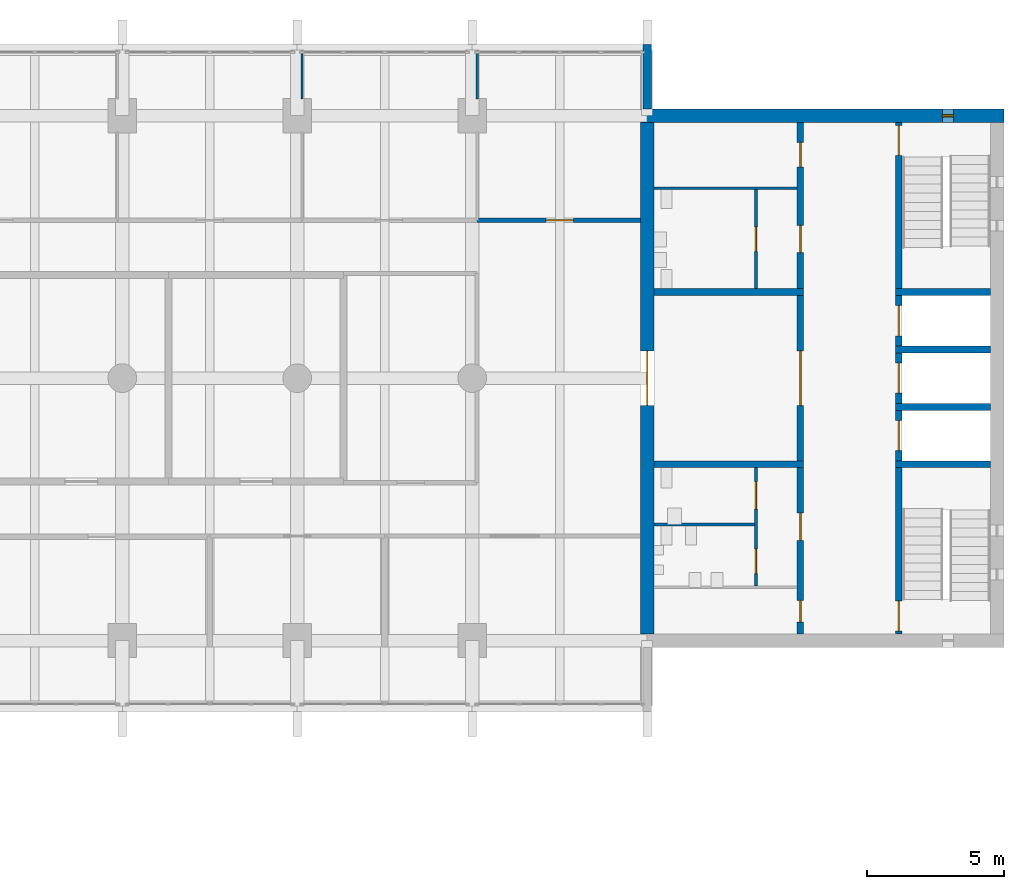
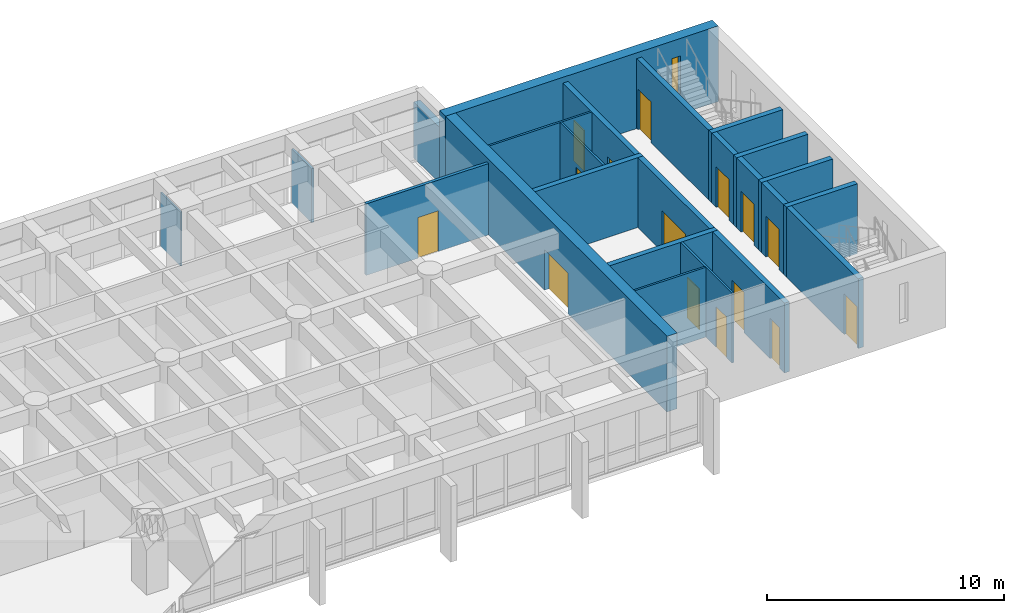
# One storey, part 13 of 19: 24 walls, 15 doors, 1 window, 16 openings.
"""IFC4 building model written with IfcOpenShell, lengths in metres."""

import ifcopenshell
import ifcopenshell.guid

model = None  # the IFC model being written
_history = None  # IfcOwnerHistory: only IFC2X3 demands one
_inside = {}  # id of a spatial element -> (the spatial element, [elements in it])
_under = {}  # id of a project, library or spatial element -> (it, [spatial elements below it])
_declared = {}  # id of a project -> (the project, [libraries it declares])
_typed = {}  # id of a type object -> (the type object, [elements of that type])
_made_of = {}  # id of a material, layer set ... -> (it, [elements and type objects made of it])


def new_model(schema):
    """Start an empty IFC model of exactly this schema.

    Asked for "IFC4X3", IfcOpenShell would pick the latest addendum, in which some entities
    have other attributes; the version numbers below select the first issue.
    IFC2X3 requires an IfcOwnerHistory on every rooted entity: one is made here for all.
    """
    global model, _history
    if schema == "IFC4X3":
        model = ifcopenshell.file(schema_version=(4, 3, 0, 0))
    else:
        model = ifcopenshell.file(schema=schema)
    _inside.clear()
    _under.clear()
    _declared.clear()
    _typed.clear()
    _made_of.clear()
    _history = None
    if model.schema == "IFC2X3":
        org = make("IfcOrganization", Name="unknown")
        user = make(
            "IfcPersonAndOrganization",
            ThePerson=make("IfcPerson", FamilyName="unknown"),
            TheOrganization=org,
        )
        app = make(
            "IfcApplication",
            ApplicationDeveloper=org,
            Version="unknown",
            ApplicationFullName="unknown",
            ApplicationIdentifier="unknown",
        )
        _history = make(
            "IfcOwnerHistory",
            OwningUser=user,
            OwningApplication=app,
            ChangeAction="ADDED",
            CreationDate=0,
        )
    return model


def make(cls, **values):
    """One entity of the class cls with the attributes given. An attribute that is None is left unset."""
    return model.create_entity(
        cls, **{name: value for name, value in values.items() if value is not None}
    )


def rooted(cls, **values):
    """An entity with a GlobalId (a new one), such as an element, a storey or a relation."""
    return make(cls, GlobalId=ifcopenshell.guid.new(), OwnerHistory=_history, **values)


def si_unit(unit_type, name, prefix=None):
    """IfcSIUnit, for example si_unit("LENGTHUNIT", "METRE", prefix="MILLI")."""
    return make("IfcSIUnit", UnitType=unit_type, Prefix=prefix, Name=name)


def assignment(units):
    """IfcUnitAssignment: the units of a project."""
    return None if units is None else make("IfcUnitAssignment", Units=units)


def point(xyz):
    """IfcCartesianPoint."""
    return None if xyz is None else make("IfcCartesianPoint", Coordinates=xyz)


def direction(xyz):
    """IfcDirection."""
    return None if xyz is None else make("IfcDirection", DirectionRatios=xyz)


def frame(location, z_axis=None, x_axis=None):
    """IfcAxis2Placement3D, a coordinate frame: its origin and axes. An axis left out is left unset."""
    return make(
        "IfcAxis2Placement3D",
        Location=point(location),
        Axis=direction(z_axis),
        RefDirection=direction(x_axis),
    )


def frame_2d(location, x_axis=None):
    """IfcAxis2Placement2D, a coordinate frame in the plane: its origin and x axis."""
    return make(
        "IfcAxis2Placement2D", Location=point(location), RefDirection=direction(x_axis)
    )


def origin():
    """The frame at (0, 0, 0) with its axes left unset."""
    return frame((0.0, 0.0, 0.0))


def place(relative_to, where):
    """IfcLocalPlacement: puts the frame where relative to a parent placement (None: the world)."""
    return make(
        "IfcLocalPlacement", PlacementRelTo=relative_to, RelativePlacement=where
    )


def context(
    kind, dimensions, precision=None, world=None, true_north=None, identifier=None
):
    """IfcGeometricRepresentationContext, for example the 3D "Model" context."""
    return make(
        "IfcGeometricRepresentationContext",
        ContextIdentifier=identifier,
        ContextType=kind,
        CoordinateSpaceDimension=dimensions,
        Precision=precision,
        WorldCoordinateSystem=world,
        TrueNorth=true_north,
    )


def subcontext(parent, identifier, kind, view, scale=None):
    """IfcGeometricRepresentationSubContext, for example "Body" below "Model"."""
    return make(
        "IfcGeometricRepresentationSubContext",
        ContextIdentifier=identifier,
        ContextType=kind,
        ParentContext=parent,
        TargetScale=scale,
        TargetView=view,
    )


def project(units=None, contexts=None):
    """IfcProject with its units and contexts."""
    return rooted(
        "IfcProject",
        Name="project",
        RepresentationContexts=contexts,
        UnitsInContext=assignment(units),
    )


def spatial(cls, under=None, at=None, **own):
    """A site, building, storey or space (cls), placed at a placement, below another one or the project."""
    s = rooted(cls, ObjectPlacement=at, **own)
    if under is not None:
        _under.setdefault(under.id(), (under, []))[1].append(s)
    return s


def profile(cls, at=None, kind="AREA", **sizes):
    """A parametric profile (cls). Its sizes go by their IFC names, for example OverallWidth=200.0."""
    return make(cls, ProfileType=kind, Position=at, **sizes)


def rectangle(**sizes):
    """IfcRectangleProfileDef."""
    return profile("IfcRectangleProfileDef", **sizes)


def extrude(swept, where, along, depth):
    """IfcExtrudedAreaSolid: the profile swept, set in the frame where, extruded along a direction by depth."""
    return make(
        "IfcExtrudedAreaSolid",
        SweptArea=swept,
        Position=where,
        ExtrudedDirection=direction(along),
        Depth=depth,
    )


def shape(context_of_items, identifier, shape_type, items):
    """IfcShapeRepresentation: the items that make up one representation, for example the "Body"."""
    return make(
        "IfcShapeRepresentation",
        ContextOfItems=context_of_items,
        RepresentationIdentifier=identifier,
        RepresentationType=shape_type,
        Items=items,
    )


def material(Name=None, Category=None):
    """IfcMaterial."""
    return make("IfcMaterial", Name=Name, Category=Category)


def layer(
    of_material, thickness, ventilated=None, Name=None, Category=None, Priority=None
):
    """IfcMaterialLayer: one layer of a wall or slab, of a material (None: an air gap)."""
    return make(
        "IfcMaterialLayer",
        Material=of_material,
        LayerThickness=thickness,
        IsVentilated=ventilated,
        Name=Name,
        Category=Category,
        Priority=Priority,
    )


def layer_set(layers, Name=None):
    """IfcMaterialLayerSet."""
    return make("IfcMaterialLayerSet", MaterialLayers=layers, LayerSetName=Name)


def made_of(thing, what):
    """Note that an element or type object is made of a material, layer set ...; save() writes the relation."""
    if what is not None:
        _made_of.setdefault(what.id(), (what, []))[1].append(thing)
    return thing


def type_object(cls, material=None, **own):
    """A type object (cls), such as IfcWallType, which elements share."""
    return made_of(rooted(cls, **own), material)


def element(
    cls,
    number,
    at=None,
    inside=None,
    cuts=None,
    type_object=None,
    material=None,
    context=None,
    identifier="Body",
    shape_type=None,
    held_by="IfcProductDefinitionShape",
    body=None,
    shapes=None,
    **own,
):
    """One element of the class cls, such as IfcWall. Its Tag is "e" and its number.

    at: its placement. inside: the storey or other place that contains it. cuts: it is an
    opening in that element (IfcRelVoidsElement). A single representation is given by context,
    identifier, shape_type and body (its items); several are given by shapes. held_by: the class
    of the entity that holds the representations. save() writes the other relations.
    """
    e = rooted(cls, Tag="e%d" % number, ObjectPlacement=at, **own)
    if body is not None:
        shapes = [shape(context, identifier, shape_type, body)]
    if shapes is not None:
        e.Representation = make(held_by, Representations=shapes)
    if inside is not None:
        _inside.setdefault(inside.id(), (inside, []))[1].append(e)
    if cuts is not None:
        rooted(
            "IfcRelVoidsElement", RelatingBuildingElement=cuts, RelatedOpeningElement=e
        )
    if type_object is not None:
        _typed.setdefault(type_object.id(), (type_object, []))[1].append(e)
    return made_of(e, material)


def fill(opening, filler):
    """IfcRelFillsElement: the door or window that sits in an opening."""
    return rooted(
        "IfcRelFillsElement",
        RelatingOpeningElement=opening,
        RelatedBuildingElement=filler,
    )


def aggregate(whole, parts):
    """IfcRelAggregates: a whole, such as a stair, and the parts it consists of."""
    return rooted("IfcRelAggregates", RelatingObject=whole, RelatedObjects=parts)


def save(model, path):
    """Write the relations noted so far, then the file.

    IfcRelAggregates (storeys below a building ...), IfcRelContainedInSpatialStructure (elements
    in a storey), IfcRelDefinesByType, IfcRelAssociatesMaterial and IfcRelDeclares: one each for
    every whole, place, type object, material and project.
    """
    for whole, parts in _under.values():
        aggregate(whole, parts)
    for where, things in _inside.values():
        rooted(
            "IfcRelContainedInSpatialStructure",
            RelatedElements=things,
            RelatingStructure=where,
        )
    for kind, things in _typed.values():
        rooted("IfcRelDefinesByType", RelatedObjects=things, RelatingType=kind)
    for what, things in _made_of.values():
        rooted("IfcRelAssociatesMaterial", RelatedObjects=things, RelatingMaterial=what)
    for by, libraries in _declared.values():
        rooted("IfcRelDeclares", RelatingContext=by, RelatedDefinitions=libraries)
    model.write(path)


model = new_model("IFC4")

# Units and contexts
model_context = context("Model", 3, precision=1e-05, world=origin(), true_north=direction((0.0, 1.0)))
body_context = subcontext(model_context, "Body", "Model", "MODEL_VIEW")
ifc_project = project(units=[si_unit("LENGTHUNIT", "METRE"), si_unit("AREAUNIT", "SQUARE_METRE"), si_unit("VOLUMEUNIT", "CUBIC_METRE"), si_unit("PLANEANGLEUNIT", "RADIAN"), si_unit("MASSUNIT", "GRAM", prefix="KILO")], contexts=[model_context])

# Site, building, storey
site_placement = place(None, origin())
site = spatial("IfcSite", under=ifc_project, at=site_placement, CompositionType="ELEMENT")
building_placement = place(site_placement, origin())
building = spatial("IfcBuilding", under=site, at=building_placement, Name="Fogon Plaza Fire Station and Headquarters Tower", CompositionType="ELEMENT")
storey_placement = place(building_placement, frame((0.0, 0.0, 21.0)))
storey = spatial("IfcBuildingStorey", under=building, at=storey_placement, Name="L05", CompositionType="ELEMENT", Elevation=21.0)

# Walls
ifc_material_1 = material(Name="Concrete C40", Category="concrete")
ifc_layer_1 = layer(ifc_material_1, 0.25)
ifc_layer_set_1 = layer_set([ifc_layer_1], Name="Concrete C40")
wall_type_1 = type_object("IfcWallType", Name="Core Wall RC 250", PredefinedType="SOLIDWALL", material=ifc_layer_set_1)
for number, where, z_axis, x_axis, name in (
    (1, (76.550048828125, 40.050048828125, 0.0), (0.0, 0.0, 1.0), (-1.0, 0.0, 0.0), "Core B shaft wall"),
    (2, (76.550048828125, 42.14990234375, 0.0), (0.0, 0.0, 1.0), (-1.0, 0.0, 0.0), "Core B shaft wall"),
    (3, (76.550048828125, 44.25, 0.0), (0.0, 0.0, 1.0), (-1.0, 0.0, 0.0), "Core B shaft wall"),
    (4, (76.550048828125, 46.35009765625, 0.0), (0.0, 0.0, 1.0), (-1.0, 0.0, 0.0), "Core B shaft wall"),
):
    element("IfcWall", number, at=place(storey_placement, frame(where, z_axis=z_axis, x_axis=x_axis)), inside=storey, type_object=wall_type_1, Name=name, PredefinedType="SOLIDWALL", context=body_context, shape_type="SweptSolid", body=[
        extrude(rectangle(XDim=3.47509765625, YDim=0.25, at=frame_2d((1.737548828125, 0.0))), origin(), (0.0, 0.0, 1.0), 3.60009765625),
    ])

# Wall, opening, door
wall_1_placement = place(storey_placement, frame((73.199951171875, 33.85009765625, 0.0), z_axis=(0.0, 0.0, 1.0), x_axis=(0.0, 1.0, 0.0)))
wall_1 = element("IfcWall", 5, at=wall_1_placement, inside=storey, type_object=wall_type_1, Name="Core B shaft wall", PredefinedType="SOLIDWALL", context=body_context, shape_type="SweptSolid", body=[
    extrude(rectangle(XDim=6.074951171875, YDim=0.25, at=frame_2d((3.03759765625, 0.0))), origin(), (0.0, 0.0, 1.0), 3.60009765625),
])
opening_1_placement = place(wall_1_placement, frame((0.10009765625, 0.0, 0.0)))
opening_1 = element("IfcOpeningElement", 6, at=opening_1_placement, cuts=wall_1, Name="Opening L05-D15", PredefinedType="OPENING", context=body_context, shape_type="SweptSolid", body=[
    extrude(rectangle(XDim=1.10009765625, YDim=2.10009765625, at=frame_2d((0.550048828125, 1.050048828125))), frame((0.0, 0.135009765625, 0.0), z_axis=(0.0, -1.0, 0.0), x_axis=(1.0, 0.0, 0.0)), (0.0, 0.0, 1.0), 0.27001953125),
])
ifc_material_2 = material(Name="Steel Fire Door Leaf", Category="steel")
door_type_1 = type_object("IfcDoorType", Name="Stair Door Single 1100x2100", OperationType="SINGLE_SWING_LEFT", PredefinedType="DOOR", material=ifc_material_2)
door_1_placement = place(opening_1_placement, frame((1.10009765625, 0.0, 0.0), z_axis=(0.0, 0.0, 1.0), x_axis=(-1.0, 0.0, 0.0)))
door_1 = element("IfcDoor", 7, at=door_1_placement, inside=storey, type_object=door_type_1, Name="Stair door ST3", OperationType="SINGLE_SWING_RIGHT", OverallHeight=2.10009765625, OverallWidth=1.10009765625, PredefinedType="DOOR", context=body_context, shape_type="SweptSolid", body=[
    extrude(rectangle(XDim=1.10009765625, YDim=2.10009765625, at=frame_2d((0.550048828125, 1.050048828125))), frame((0.0, 0.02490234375, 0.0), z_axis=(0.0, -1.0, 0.0), x_axis=(1.0, 0.0, 0.0)), (0.0, 0.0, 1.0), 0.050048828125),
])
fill(opening_1, door_1)

wall_2_placement = place(storey_placement, frame((73.199951171875, 40.175048828125, 0.0), z_axis=(0.0, 0.0, 1.0), x_axis=(0.0, 1.0, 0.0)))
wall_2 = element("IfcWall", 8, at=wall_2_placement, inside=storey, type_object=wall_type_1, Name="Core B shaft wall", PredefinedType="SOLIDWALL", context=body_context, shape_type="SweptSolid", body=[
    extrude(rectangle(XDim=1.849853515625, YDim=0.25, at=frame_2d((0.9248046875, 0.0))), origin(), (0.0, 0.0, 1.0), 3.60009765625),
])
opening_2_placement = place(wall_2_placement, frame((0.375, 0.0, 0.0)))
opening_2 = element("IfcOpeningElement", 9, at=opening_2_placement, cuts=wall_2, Name="Opening L05-D17", PredefinedType="OPENING", context=body_context, shape_type="SweptSolid", body=[
    extrude(rectangle(XDim=1.10009765625, YDim=2.10009765625, at=frame_2d((0.550048828125, 1.050048828125))), frame((0.0, 0.135009765625, 0.0), z_axis=(0.0, -1.0, 0.0), x_axis=(1.0, 0.0, 0.0)), (0.0, 0.0, 1.0), 0.27001953125),
])
ifc_material_3 = material(Name="Stainless Steel", Category="steel")
door_type_2 = type_object("IfcDoorType", Name="Lift Landing Door 1100x2100", OperationType="SLIDING_TO_LEFT", PredefinedType="DOOR", material=ifc_material_3)
door_2_placement = place(opening_2_placement, origin())
door_2 = element("IfcDoor", 10, at=door_2_placement, inside=storey, type_object=door_type_2, Name="Lift LP3 landing door", OperationType="SLIDING_TO_LEFT", OverallHeight=2.10009765625, OverallWidth=1.10009765625, PredefinedType="DOOR", context=body_context, shape_type="SweptSolid", body=[
    extrude(rectangle(XDim=1.10009765625, YDim=2.10009765625, at=frame_2d((0.550048828125, 1.050048828125))), frame((0.0, 0.02490234375, 0.0), z_axis=(0.0, -1.0, 0.0), x_axis=(1.0, 0.0, 0.0)), (0.0, 0.0, 1.0), 0.050048828125),
])
fill(opening_2, door_2)

wall_3_placement = place(storey_placement, frame((73.199951171875, 42.27490234375, 0.0), z_axis=(0.0, 0.0, 1.0), x_axis=(0.0, 1.0, 0.0)))
wall_3 = element("IfcWall", 11, at=wall_3_placement, inside=storey, type_object=wall_type_1, Name="Core B shaft wall", PredefinedType="SOLIDWALL", context=body_context, shape_type="SweptSolid", body=[
    extrude(rectangle(XDim=1.85009765625, YDim=0.25, at=frame_2d((0.925048828125, 0.0))), origin(), (0.0, 0.0, 1.0), 3.60009765625),
])
opening_3_placement = place(wall_3_placement, frame((0.375, 0.0, 0.0)))
opening_3 = element("IfcOpeningElement", 12, at=opening_3_placement, cuts=wall_3, Name="Opening L05-D18", PredefinedType="OPENING", context=body_context, shape_type="SweptSolid", body=[
    extrude(rectangle(XDim=1.10009765625, YDim=2.10009765625, at=frame_2d((0.550048828125, 1.050048828125))), frame((0.0, 0.135009765625, 0.0), z_axis=(0.0, -1.0, 0.0), x_axis=(1.0, 0.0, 0.0)), (0.0, 0.0, 1.0), 0.27001953125),
])
door_3_placement = place(opening_3_placement, origin())
door_3 = element("IfcDoor", 13, at=door_3_placement, inside=storey, type_object=door_type_2, Name="Lift LP4 landing door", OperationType="SLIDING_TO_LEFT", OverallHeight=2.10009765625, OverallWidth=1.10009765625, PredefinedType="DOOR", context=body_context, shape_type="SweptSolid", body=[
    extrude(rectangle(XDim=1.10009765625, YDim=2.10009765625, at=frame_2d((0.550048828125, 1.050048828125))), frame((0.0, 0.02490234375, 0.0), z_axis=(0.0, -1.0, 0.0), x_axis=(1.0, 0.0, 0.0)), (0.0, 0.0, 1.0), 0.050048828125),
])
fill(opening_3, door_3)

wall_4_placement = place(storey_placement, frame((73.199951171875, 44.375, 0.0), z_axis=(0.0, 0.0, 1.0), x_axis=(0.0, 1.0, 0.0)))
wall_4 = element("IfcWall", 14, at=wall_4_placement, inside=storey, type_object=wall_type_1, Name="Core B shaft wall", PredefinedType="SOLIDWALL", context=body_context, shape_type="SweptSolid", body=[
    extrude(rectangle(XDim=1.85009765625, YDim=0.25, at=frame_2d((0.925048828125, 0.0))), origin(), (0.0, 0.0, 1.0), 3.60009765625),
])
opening_4_placement = place(wall_4_placement, frame((0.375, 0.0, 0.0)))
opening_4 = element("IfcOpeningElement", 15, at=opening_4_placement, cuts=wall_4, Name="Opening L05-D19", PredefinedType="OPENING", context=body_context, shape_type="SweptSolid", body=[
    extrude(rectangle(XDim=1.10009765625, YDim=2.10009765625, at=frame_2d((0.550048828125, 1.050048828125))), frame((0.0, 0.135009765625, 0.0), z_axis=(0.0, -1.0, 0.0), x_axis=(1.0, 0.0, 0.0)), (0.0, 0.0, 1.0), 0.27001953125),
])
door_4_placement = place(opening_4_placement, origin())
door_4 = element("IfcDoor", 16, at=door_4_placement, inside=storey, type_object=door_type_2, Name="Lift FL2 landing door", OperationType="SLIDING_TO_LEFT", OverallHeight=2.10009765625, OverallWidth=1.10009765625, PredefinedType="DOOR", context=body_context, shape_type="SweptSolid", body=[
    extrude(rectangle(XDim=1.10009765625, YDim=2.10009765625, at=frame_2d((0.550048828125, 1.050048828125))), frame((0.0, 0.02490234375, 0.0), z_axis=(0.0, -1.0, 0.0), x_axis=(1.0, 0.0, 0.0)), (0.0, 0.0, 1.0), 0.050048828125),
])
fill(opening_4, door_4)

wall_5_placement = place(storey_placement, frame((73.199951171875, 46.47509765625, 0.0), z_axis=(0.0, 0.0, 1.0), x_axis=(0.0, 1.0, 0.0)))
wall_5 = element("IfcWall", 17, at=wall_5_placement, inside=storey, type_object=wall_type_1, Name="Core B shaft wall", PredefinedType="SOLIDWALL", context=body_context, shape_type="SweptSolid", body=[
    extrude(rectangle(XDim=6.074951171875, YDim=0.25, at=frame_2d((3.03759765625, 0.0))), origin(), (0.0, 0.0, 1.0), 3.60009765625),
])
opening_5_placement = place(wall_5_placement, frame((4.875, 0.0, 0.0)))
opening_5 = element("IfcOpeningElement", 18, at=opening_5_placement, cuts=wall_5, Name="Opening L05-D16", PredefinedType="OPENING", context=body_context, shape_type="SweptSolid", body=[
    extrude(rectangle(XDim=1.10009765625, YDim=2.10009765625, at=frame_2d((0.550048828125, 1.050048828125))), frame((0.0, 0.135009765625, 0.0), z_axis=(0.0, -1.0, 0.0), x_axis=(1.0, 0.0, 0.0)), (0.0, 0.0, 1.0), 0.27001953125),
])
door_5_placement = place(opening_5_placement, frame((1.10009765625, 0.0, 0.0), z_axis=(0.0, 0.0, 1.0), x_axis=(-1.0, 0.0, 0.0)))
door_5 = element("IfcDoor", 19, at=door_5_placement, inside=storey, type_object=door_type_1, Name="Stair door ST4", OperationType="SINGLE_SWING_LEFT", OverallHeight=2.10009765625, OverallWidth=1.10009765625, PredefinedType="DOOR", context=body_context, shape_type="SweptSolid", body=[
    extrude(rectangle(XDim=1.10009765625, YDim=2.10009765625, at=frame_2d((0.550048828125, 1.050048828125))), frame((0.0, 0.02490234375, 0.0), z_axis=(0.0, -1.0, 0.0), x_axis=(1.0, 0.0, 0.0)), (0.0, 0.0, 1.0), 0.050048828125),
])
fill(opening_5, door_5)

# Wall, openings, doors
wall_6_placement = place(storey_placement, frame((69.60009765625, 33.85009765625, 0.0), z_axis=(0.0, 0.0, 1.0), x_axis=(0.0, 1.0, 0.0)))
wall_6 = element("IfcWall", 20, at=wall_6_placement, inside=storey, type_object=wall_type_1, Name="Core B shaft wall", PredefinedType="SOLIDWALL", context=body_context, shape_type="SweptSolid", body=[
    extrude(rectangle(XDim=6.074951171875, YDim=0.25, at=frame_2d((3.03759765625, 0.0))), origin(), (0.0, 0.0, 1.0), 3.60009765625),
])
opening_6_placement = place(wall_6_placement, frame((0.425048828125, 0.0, 0.0)))
opening_6 = element("IfcOpeningElement", 21, at=opening_6_placement, cuts=wall_6, Name="Opening L05-D22", PredefinedType="OPENING", context=body_context, shape_type="SweptSolid", body=[
    extrude(rectangle(XDim=0.800048828125, YDim=2.10009765625, at=frame_2d((0.39990234375, 1.050048828125))), frame((0.0, 0.135009765625, 0.0), z_axis=(0.0, -1.0, 0.0), x_axis=(1.0, 0.0, 0.0)), (0.0, 0.0, 1.0), 0.27001953125),
])
opening_7_placement = place(wall_6_placement, frame((3.41259765625, 0.0, 0.0)))
opening_7 = element("IfcOpeningElement", 22, at=opening_7_placement, cuts=wall_6, Name="Opening L05-D23", PredefinedType="OPENING", context=body_context, shape_type="SweptSolid", body=[
    extrude(rectangle(XDim=1.0, YDim=2.10009765625, at=frame_2d((0.5, 1.050048828125))), frame((0.0, 0.135009765625, 0.0), z_axis=(0.0, -1.0, 0.0), x_axis=(1.0, 0.0, 0.0)), (0.0, 0.0, 1.0), 0.27001953125),
])
ifc_material_4 = material(Name="Timber Door Leaf", Category="wood")
door_type_3 = type_object("IfcDoorType", Name="Cleaner Store Single 800x2100", OperationType="SINGLE_SWING_LEFT", PredefinedType="DOOR", material=ifc_material_4)
door_6_placement = place(opening_6_placement, origin())
door_6 = element("IfcDoor", 23, at=door_6_placement, inside=storey, type_object=door_type_3, Name="Cleaner's store B door", OperationType="SINGLE_SWING_LEFT", OverallHeight=2.10009765625, OverallWidth=0.800048828125, PredefinedType="DOOR", context=body_context, shape_type="SweptSolid", body=[
    extrude(rectangle(XDim=0.800048828125, YDim=2.10009765625, at=frame_2d((0.39990234375, 1.050048828125))), frame((0.0, 0.02490234375, 0.0), z_axis=(0.0, -1.0, 0.0), x_axis=(1.0, 0.0, 0.0)), (0.0, 0.0, 1.0), 0.050048828125),
])
fill(opening_6, door_6)
ifc_material_5 = material(Name="Timber fire door", Category="wood")
door_type_4 = type_object("IfcDoorType", Name="WC Lobby Single 1000x2100", OperationType="SINGLE_SWING_LEFT", PredefinedType="DOOR", material=ifc_material_5)
door_7_placement = place(opening_7_placement, origin())
door_7 = element("IfcDoor", 24, at=door_7_placement, inside=storey, type_object=door_type_4, Name="Men's WC lobby B door", OperationType="SINGLE_SWING_RIGHT", OverallHeight=2.10009765625, OverallWidth=1.0, PredefinedType="DOOR", context=body_context, shape_type="SweptSolid", body=[
    extrude(rectangle(XDim=1.0, YDim=2.10009765625, at=frame_2d((0.5, 1.050048828125))), frame((0.0, 0.02490234375, 0.0), z_axis=(0.0, -1.0, 0.0), x_axis=(1.0, 0.0, 0.0)), (0.0, 0.0, 1.0), 0.050048828125),
])
fill(opening_7, door_7)

# Wall, opening, door
wall_7_placement = place(storey_placement, frame((69.60009765625, 40.175048828125, 0.0), z_axis=(0.0, 0.0, 1.0), x_axis=(0.0, 1.0, 0.0)))
wall_7 = element("IfcWall", 25, at=wall_7_placement, inside=storey, type_object=wall_type_1, Name="Core B shaft wall", PredefinedType="SOLIDWALL", context=body_context, shape_type="SweptSolid", body=[
    extrude(rectangle(XDim=6.050048828125, YDim=0.25, at=frame_2d((3.02490234375, 0.0))), origin(), (0.0, 0.0, 1.0), 3.60009765625),
])
opening_8_placement = place(wall_7_placement, frame((2.02490234375, 0.0, 0.0)))
opening_8 = element("IfcOpeningElement", 26, at=opening_8_placement, cuts=wall_7, Name="Opening L05-D20", PredefinedType="OPENING", context=body_context, shape_type="SweptSolid", body=[
    extrude(rectangle(XDim=2.0, YDim=2.10009765625, at=frame_2d((1.0, 1.050048828125))), frame((0.0, 0.135009765625, 0.0), z_axis=(0.0, -1.0, 0.0), x_axis=(1.0, 0.0, 0.0)), (0.0, 0.0, 1.0), 0.27001953125),
])
ifc_material_6 = material(Name="Steel Fire Door Leaf", Category="steel")
door_type_5 = type_object("IfcDoorType", Name="Vestibule Double 2000x2100", OperationType="DOUBLE_DOOR_SINGLE_SWING", PredefinedType="DOOR", material=ifc_material_6)
door_8_placement = place(opening_8_placement, origin())
door_8 = element("IfcDoor", 27, at=door_8_placement, inside=storey, type_object=door_type_5, Name="Vestibule B door", OperationType="DOUBLE_DOOR_SINGLE_SWING", OverallHeight=2.10009765625, OverallWidth=2.0, PredefinedType="DOOR", context=body_context, shape_type="SweptSolid", body=[
    extrude(rectangle(XDim=2.0, YDim=2.10009765625, at=frame_2d((1.0, 1.050048828125))), frame((0.0, 0.02490234375, 0.0), z_axis=(0.0, -1.0, 0.0), x_axis=(1.0, 0.0, 0.0)), (0.0, 0.0, 1.0), 0.050048828125),
])
fill(opening_8, door_8)

# Wall, openings, doors
wall_8_placement = place(storey_placement, frame((69.60009765625, 46.47509765625, 0.0), z_axis=(0.0, 0.0, 1.0), x_axis=(0.0, 1.0, 0.0)))
wall_8 = element("IfcWall", 28, at=wall_8_placement, inside=storey, type_object=wall_type_1, Name="Core B shaft wall", PredefinedType="SOLIDWALL", context=body_context, shape_type="SweptSolid", body=[
    extrude(rectangle(XDim=6.074951171875, YDim=0.25, at=frame_2d((3.03759765625, 0.0))), origin(), (0.0, 0.0, 1.0), 3.60009765625),
])
opening_9_placement = place(wall_8_placement, frame((1.3125, 0.0, 0.0)))
opening_9 = element("IfcOpeningElement", 29, at=opening_9_placement, cuts=wall_8, Name="Opening L05-D26", PredefinedType="OPENING", context=body_context, shape_type="SweptSolid", body=[
    extrude(rectangle(XDim=1.0, YDim=2.10009765625, at=frame_2d((0.5, 1.050048828125))), frame((0.0, 0.135009765625, 0.0), z_axis=(0.0, -1.0, 0.0), x_axis=(1.0, 0.0, 0.0)), (0.0, 0.0, 1.0), 0.27001953125),
])
opening_10_placement = place(wall_8_placement, frame((4.449951171875, 0.0, 0.0)))
opening_10 = element("IfcOpeningElement", 30, at=opening_10_placement, cuts=wall_8, Name="Opening L05-D28", PredefinedType="OPENING", context=body_context, shape_type="SweptSolid", body=[
    extrude(rectangle(XDim=0.89990234375, YDim=2.10009765625, at=frame_2d((0.449951171875, 1.050048828125))), frame((0.0, 0.135009765625, 0.0), z_axis=(0.0, -1.0, 0.0), x_axis=(1.0, 0.0, 0.0)), (0.0, 0.0, 1.0), 0.27001953125),
])
ifc_material_7 = material(Name="Steel Fire Door Leaf", Category="steel")
door_type_6 = type_object("IfcDoorType", Name="Riser Single 900x2100", OperationType="SINGLE_SWING_LEFT", PredefinedType="DOOR", material=ifc_material_7)
door_9_placement = place(opening_10_placement, origin())
door_9 = element("IfcDoor", 31, at=door_9_placement, inside=storey, type_object=door_type_6, Name="Riser room B door", OperationType="SINGLE_SWING_LEFT", OverallHeight=2.10009765625, OverallWidth=0.89990234375, PredefinedType="DOOR", context=body_context, shape_type="SweptSolid", body=[
    extrude(rectangle(XDim=0.89990234375, YDim=2.10009765625, at=frame_2d((0.449951171875, 1.050048828125))), frame((0.0, 0.02490234375, 0.0), z_axis=(0.0, -1.0, 0.0), x_axis=(1.0, 0.0, 0.0)), (0.0, 0.0, 1.0), 0.050048828125),
])
fill(opening_10, door_9)
door_10_placement = place(opening_9_placement, origin())
door_10 = element("IfcDoor", 32, at=door_10_placement, inside=storey, type_object=door_type_4, Name="Women's WC lobby B door", OperationType="SINGLE_SWING_LEFT", OverallHeight=2.10009765625, OverallWidth=1.0, PredefinedType="DOOR", context=body_context, shape_type="SweptSolid", body=[
    extrude(rectangle(XDim=1.0, YDim=2.10009765625, at=frame_2d((0.5, 1.050048828125))), frame((0.0, 0.02490234375, 0.0), z_axis=(0.0, -1.0, 0.0), x_axis=(1.0, 0.0, 0.0)), (0.0, 0.0, 1.0), 0.050048828125),
])
fill(opening_9, door_10)

# Walls
for number, where, z_axis, x_axis, name in (
    (33, (69.72509765625, 40.050048828125, 0.0), (0.0, 0.0, 1.0), (-1.0, 0.0, 0.0), "Core B shaft wall"),
    (34, (69.72509765625, 46.35009765625, 0.0), (0.0, 0.0, 1.0), (-1.0, 0.0, 0.0), "Core B shaft wall"),
):
    element("IfcWall", number, at=place(storey_placement, frame(where, z_axis=z_axis, x_axis=x_axis)), inside=storey, type_object=wall_type_1, Name=name, PredefinedType="SOLIDWALL", context=body_context, shape_type="SweptSolid", body=[
        extrude(rectangle(XDim=5.47509765625, YDim=0.25, at=frame_2d((2.737548828125, 0.0))), origin(), (0.0, 0.0, 1.0), 3.60009765625),
    ])
ifc_material_8 = material(Name="Concrete C40", Category="concrete")
ifc_layer_2 = layer(ifc_material_8, 0.300048828125)
ifc_layer_set_2 = layer_set([ifc_layer_2], Name="Concrete C40")
wall_type_2 = type_object("IfcWallType", Name="Fair-faced RC Return Panel 300", PredefinedType="SOLIDWALL", material=ifc_layer_set_2)
wall_9_placement = place(storey_placement, frame((64.0, 53.050048828125, 0.0), z_axis=(0.0, 0.0, 1.0), x_axis=(0.0, 1.0, 0.0)))
element("IfcWall", 35, at=wall_9_placement, inside=storey, type_object=wall_type_2, Name="Bar end return EN L05", PredefinedType="SOLIDWALL", context=body_context, shape_type="SweptSolid", body=[
    extrude(rectangle(XDim=2.349853515625, YDim=0.300048828125, at=frame_2d((1.1748046875, 0.0))), origin(), (0.0, 0.0, 1.0), 2.8798828125),
])

# Wall, openings, doors
ifc_material_9 = material(Name="Blockwork", Category="masonry")
ifc_layer_3 = layer(ifc_material_9, 0.10009765625)
ifc_layer_set_3 = layer_set([ifc_layer_3], Name="Blockwork")
wall_type_3 = type_object("IfcWallType", Name="Partition Blockwork 100", PredefinedType="PARTITIONING", material=ifc_layer_set_3)
wall_10_placement = place(storey_placement, frame((67.97509765625, 35.60009765625, 0.0), z_axis=(0.0, 0.0, 1.0), x_axis=(0.0, 1.0, 0.0)))
wall_10 = element("IfcWall", 36, at=wall_10_placement, inside=storey, type_object=wall_type_3, Name="WC block partition", PredefinedType="PARTITIONING", context=body_context, shape_type="SweptSolid", body=[
    extrude(rectangle(XDim=4.324951171875, YDim=0.10009765625, at=frame_2d((2.16259765625, 0.0))), origin(), (0.0, 0.0, 1.0), 3.60009765625),
])
opening_11_placement = place(wall_10_placement, frame((0.449951171875, 0.0, 0.0)))
opening_11 = element("IfcOpeningElement", 37, at=opening_11_placement, cuts=wall_10, Name="Opening L05-D24", PredefinedType="OPENING", context=body_context, shape_type="SweptSolid", body=[
    extrude(rectangle(XDim=0.89990234375, YDim=2.10009765625, at=frame_2d((0.449951171875, 1.050048828125))), frame((0.0, 0.06005859375, 0.0), z_axis=(0.0, -1.0, 0.0), x_axis=(1.0, 0.0, 0.0)), (0.0, 0.0, 1.0), 0.1201171875),
])
opening_12_placement = place(wall_10_placement, frame((2.8125, 0.0, 0.0)))
opening_12 = element("IfcOpeningElement", 38, at=opening_12_placement, cuts=wall_10, Name="Opening L05-D25", PredefinedType="OPENING", context=body_context, shape_type="SweptSolid", body=[
    extrude(rectangle(XDim=1.0, YDim=2.10009765625, at=frame_2d((0.5, 1.050048828125))), frame((0.0, 0.06005859375, 0.0), z_axis=(0.0, -1.0, 0.0), x_axis=(1.0, 0.0, 0.0)), (0.0, 0.0, 1.0), 0.1201171875),
])
ifc_material_10 = material(Name="Timber Door Leaf", Category="wood")
door_type_7 = type_object("IfcDoorType", Name="Accessible WC Single 1000x2100", OperationType="SINGLE_SWING_LEFT", PredefinedType="DOOR", material=ifc_material_10)
door_11_placement = place(opening_12_placement, origin())
door_11 = element("IfcDoor", 39, at=door_11_placement, inside=storey, type_object=door_type_7, Name="Accessible WC B door", OperationType="SINGLE_SWING_RIGHT", OverallHeight=2.10009765625, OverallWidth=1.0, PredefinedType="DOOR", context=body_context, shape_type="SweptSolid", body=[
    extrude(rectangle(XDim=1.0, YDim=2.10009765625, at=frame_2d((0.5, 1.050048828125))), frame((0.0, 0.02490234375, 0.0), z_axis=(0.0, -1.0, 0.0), x_axis=(1.0, 0.0, 0.0)), (0.0, 0.0, 1.0), 0.050048828125),
])
fill(opening_12, door_11)
ifc_material_11 = material(Name="Timber Door Leaf", Category="wood")
door_type_8 = type_object("IfcDoorType", Name="WC Single 900x2100", OperationType="SINGLE_SWING_LEFT", PredefinedType="DOOR", material=ifc_material_11)
door_12_placement = place(opening_11_placement, origin())
door_12 = element("IfcDoor", 40, at=door_12_placement, inside=storey, type_object=door_type_8, Name="Men's WC B door", OperationType="SINGLE_SWING_LEFT", OverallHeight=2.10009765625, OverallWidth=0.89990234375, PredefinedType="DOOR", context=body_context, shape_type="SweptSolid", body=[
    extrude(rectangle(XDim=0.89990234375, YDim=2.10009765625, at=frame_2d((0.449951171875, 1.050048828125))), frame((0.0, 0.02490234375, 0.0), z_axis=(0.0, -1.0, 0.0), x_axis=(1.0, 0.0, 0.0)), (0.0, 0.0, 1.0), 0.050048828125),
])
fill(opening_11, door_12)

# Wall
wall_11_placement = place(storey_placement, frame((67.925048828125, 37.85009765625, 0.0), z_axis=(0.0, 0.0, 1.0), x_axis=(-1.0, 0.0, 0.0)))
element("IfcWall", 41, at=wall_11_placement, inside=storey, type_object=wall_type_3, Name="WC block partition", PredefinedType="PARTITIONING", context=body_context, shape_type="SweptSolid", body=[
    extrude(rectangle(XDim=3.675048828125, YDim=0.10009765625, at=frame_2d((1.83740234375, 0.0))), origin(), (0.0, 0.0, 1.0), 3.60009765625),
])

# Wall, opening, door
wall_12_placement = place(storey_placement, frame((67.97509765625, 46.47509765625, 0.0), z_axis=(0.0, 0.0, 1.0), x_axis=(0.0, 1.0, 0.0)))
wall_12 = element("IfcWall", 42, at=wall_12_placement, inside=storey, type_object=wall_type_3, Name="WC block partition", PredefinedType="PARTITIONING", context=body_context, shape_type="SweptSolid", body=[
    extrude(rectangle(XDim=3.625, YDim=0.10009765625, at=frame_2d((1.8125, 0.0))), origin(), (0.0, 0.0, 1.0), 3.60009765625),
])
opening_13_placement = place(wall_12_placement, frame((1.362548828125, 0.0, 0.0)))
opening_13 = element("IfcOpeningElement", 43, at=opening_13_placement, cuts=wall_12, Name="Opening L05-D27", PredefinedType="OPENING", context=body_context, shape_type="SweptSolid", body=[
    extrude(rectangle(XDim=0.89990234375, YDim=2.10009765625, at=frame_2d((0.449951171875, 1.050048828125))), frame((0.0, 0.06005859375, 0.0), z_axis=(0.0, -1.0, 0.0), x_axis=(1.0, 0.0, 0.0)), (0.0, 0.0, 1.0), 0.1201171875),
])
door_13_placement = place(opening_13_placement, origin())
door_13 = element("IfcDoor", 44, at=door_13_placement, inside=storey, type_object=door_type_8, Name="Women's WC B door", OperationType="SINGLE_SWING_RIGHT", OverallHeight=2.10009765625, OverallWidth=0.89990234375, PredefinedType="DOOR", context=body_context, shape_type="SweptSolid", body=[
    extrude(rectangle(XDim=0.89990234375, YDim=2.10009765625, at=frame_2d((0.449951171875, 1.050048828125))), frame((0.0, 0.02490234375, 0.0), z_axis=(0.0, -1.0, 0.0), x_axis=(1.0, 0.0, 0.0)), (0.0, 0.0, 1.0), 0.050048828125),
])
fill(opening_13, door_13)

# Wall
ifc_material_12 = material(Name="Blockwork", Category="masonry")
ifc_layer_4 = layer(ifc_material_12, 0.10009765625)
ifc_layer_set_4 = layer_set([ifc_layer_4], Name="Blockwork")
wall_type_4 = type_object("IfcWallType", Name="Riser Partition Blockwork 100", PredefinedType="PARTITIONING", material=ifc_layer_set_4)
wall_13_placement = place(storey_placement, frame((69.47509765625, 50.14990234375, 0.0), z_axis=(0.0, 0.0, 1.0), x_axis=(-1.0, 0.0, 0.0)))
element("IfcWall", 45, at=wall_13_placement, inside=storey, type_object=wall_type_4, Name="Riser room partition", PredefinedType="PARTITIONING", context=body_context, shape_type="SweptSolid", body=[
    extrude(rectangle(XDim=5.22509765625, YDim=0.10009765625, at=frame_2d((2.612548828125, 0.0))), origin(), (0.0, 0.0, 1.0), 3.60009765625),
])

# Wall, opening, window
ifc_material_13 = material(Name="Concrete C40", Category="concrete")
ifc_layer_5 = layer(ifc_material_13, 0.5)
ifc_layer_set_5 = layer_set([ifc_layer_5], Name="Concrete C40")
wall_type_5 = type_object("IfcWallType", Name="Shear wall 500 SW50", PredefinedType="SHEAR", material=ifc_layer_set_5)
wall_14_placement = place(storey_placement, frame((63.75, 52.800048828125, 0.0), z_axis=(0.0, 0.0, 1.0), x_axis=(1.0, 0.0, 0.0)))
wall_14 = element("IfcWall", 46, at=wall_14_placement, inside=storey, type_object=wall_type_5, Name="wall-coreB-N-L05", PredefinedType="SHEAR", context=body_context, shape_type="SweptSolid", body=[
    extrude(rectangle(XDim=13.300048828125, YDim=0.5, at=frame_2d((6.64990234375, 0.0))), origin(), (0.0, 0.0, 1.0), 3.89990234375),
])
opening_14_placement = place(wall_14_placement, frame((11.050048828125, 0.0, 1.0)))
opening_14 = element("IfcOpeningElement", 47, at=opening_14_placement, cuts=wall_14, Name="Opening WS1", PredefinedType="OPENING", context=body_context, shape_type="SweptSolid", body=[
    extrude(rectangle(XDim=0.39990234375, YDim=2.0, at=frame_2d((0.199951171875, 1.0))), frame((0.0, 0.260009765625, 0.0), z_axis=(0.0, -1.0, 0.0), x_axis=(1.0, 0.0, 0.0)), (0.0, 0.0, 1.0), 0.52001953125),
])
ifc_material_14 = material(Name="Aluminium framed double glazing", Category="aluminium")
window_type = type_object("IfcWindowType", Name="Slit Window WS1 400x2000", PartitioningType="SINGLE_PANEL", PredefinedType="WINDOW", material=ifc_material_14)
window_placement = place(opening_14_placement, origin())
window = element("IfcWindow", 48, at=window_placement, inside=storey, type_object=window_type, Name="Slit window B6 L05", OverallHeight=2.0, OverallWidth=0.39990234375, PartitioningType="SINGLE_PANEL", PredefinedType="WINDOW", context=body_context, shape_type="SweptSolid", body=[
    extrude(rectangle(XDim=0.39990234375, YDim=2.0, at=frame_2d((0.199951171875, 1.0))), frame((0.0, 0.030029296875, 0.0), z_axis=(0.0, -1.0, 0.0), x_axis=(1.0, 0.0, 0.0)), (0.0, 0.0, 1.0), 0.06005859375),
])
fill(opening_14, window)

# Wall, opening, door
wall_15_placement = place(storey_placement, frame((64.0, 33.85009765625, 0.0), z_axis=(0.0, 0.0, 1.0), x_axis=(0.0, 1.0, 0.0)))
wall_15 = element("IfcWall", 49, at=wall_15_placement, inside=storey, type_object=wall_type_5, Name="wall-coreB-W-L05", PredefinedType="SHEAR", context=body_context, shape_type="SweptSolid", body=[
    extrude(rectangle(XDim=18.699951171875, YDim=0.5, at=frame_2d((9.35009765625, 0.0))), origin(), (0.0, 0.0, 1.0), 3.89990234375),
])
opening_15_placement = place(wall_15_placement, frame((8.35009765625, 0.0, 0.0)))
opening_15 = element("IfcOpeningElement", 50, at=opening_15_placement, cuts=wall_15, Name="Opening L05-D21", PredefinedType="OPENING", context=body_context, shape_type="SweptSolid", body=[
    extrude(rectangle(XDim=2.0, YDim=2.10009765625, at=frame_2d((1.0, 1.050048828125))), frame((0.0, 0.260009765625, 0.0), z_axis=(0.0, -1.0, 0.0), x_axis=(1.0, 0.0, 0.0)), (0.0, 0.0, 1.0), 0.52001953125),
])
door_14_placement = place(opening_15_placement, frame((2.0, 0.0, 0.0), z_axis=(0.0, 0.0, 1.0), x_axis=(-1.0, 0.0, 0.0)))
door_14 = element("IfcDoor", 51, at=door_14_placement, inside=storey, type_object=door_type_5, Name="Vestibule B door to the office zone", OperationType="DOUBLE_DOOR_SINGLE_SWING", OverallHeight=2.10009765625, OverallWidth=2.0, PredefinedType="DOOR", context=body_context, shape_type="SweptSolid", body=[
    extrude(rectangle(XDim=2.0, YDim=2.10009765625, at=frame_2d((1.0, 1.050048828125))), frame((0.0, 0.02490234375, 0.0), z_axis=(0.0, -1.0, 0.0), x_axis=(1.0, 0.0, 0.0)), (0.0, 0.0, 1.0), 0.050048828125),
])
fill(opening_15, door_14)

ifc_material_15 = material(Name="Gypsum board on steel stud", Category="steel")
ifc_layer_6 = layer(ifc_material_15, 0.14990234375)
ifc_layer_set_6 = layer_set([ifc_layer_6], Name="Gypsum board on steel stud")
wall_type_6 = type_object("IfcWallType", Name="Tower corridor partition 150 EI 60", PredefinedType="PARTITIONING", material=ifc_layer_set_6)
wall_16_placement = place(storey_placement, frame((57.780029296875, 48.97509765625, 0.0), z_axis=(0.0, 0.0, 1.0), x_axis=(1.0, 0.0, 0.0)))
wall_16 = element("IfcWall", 52, at=wall_16_placement, inside=storey, type_object=wall_type_6, Name="part-L05-24", PredefinedType="PARTITIONING", context=body_context, shape_type="SweptSolid", body=[
    extrude(rectangle(XDim=5.969970703125, YDim=0.14990234375, at=frame_2d((2.98486328125, 0.0))), origin(), (0.0, 0.0, 1.0), 3.679931640625),
])
opening_16_placement = place(wall_16_placement, frame((2.52001953125, 0.0, 0.0)))
opening_16 = element("IfcOpeningElement", 53, at=opening_16_placement, cuts=wall_16, Name="Opening L05-D43", PredefinedType="OPENING", context=body_context, shape_type="SweptSolid", body=[
    extrude(rectangle(XDim=1.0, YDim=2.10009765625, at=frame_2d((0.5, 1.050048828125))), frame((0.0, 0.0849609375, 0.0), z_axis=(0.0, -1.0, 0.0), x_axis=(1.0, 0.0, 0.0)), (0.0, 0.0, 1.0), 0.169921875),
])
ifc_material_16 = material(Name="Timber fire door", Category="wood")
door_type_9 = type_object("IfcDoorType", Name="Tower fire door single 1000 EI 20", OperationType="SINGLE_SWING_LEFT", PredefinedType="DOOR", material=ifc_material_16)
door_15_placement = place(opening_16_placement, origin())
door_15 = element("IfcDoor", 54, at=door_15_placement, inside=storey, type_object=door_type_9, Name="door-L05-15", OperationType="SINGLE_SWING_LEFT", OverallHeight=2.10009765625, OverallWidth=1.0, PredefinedType="DOOR", context=body_context, shape_type="SweptSolid", body=[
    extrude(rectangle(XDim=1.0, YDim=2.10009765625, at=frame_2d((0.5, 1.050048828125))), frame((0.0, 0.02490234375, 0.0), z_axis=(0.0, -1.0, 0.0), x_axis=(1.0, 0.0, 0.0)), (0.0, 0.0, 1.0), 0.050048828125),
])
fill(opening_16, door_15)

# Walls
ifc_material_17 = material(Name="Glazed aluminium partition", Category="aluminium")
ifc_layer_7 = layer(ifc_material_17, 0.074951171875)
ifc_layer_set_7 = layer_set([ifc_layer_7], Name="Glazed aluminium partition")
wall_type_7 = type_object("IfcWallType", Name="Tower glazed partition 75 Beam Head 900", PredefinedType="PARTITIONING", material=ifc_layer_set_7)
wall_17_placement = place(storey_placement, frame((51.3798828125, 53.405029296875, 0.0), z_axis=(0.0, 0.0, 1.0), x_axis=(0.0, 1.0, 0.0)))
element("IfcWall", 55, at=wall_17_placement, inside=storey, type_object=wall_type_7, Name="part-L05-30", PredefinedType="PARTITIONING", context=body_context, shape_type="SweptSolid", body=[
    extrude(rectangle(XDim=1.695068359375, YDim=0.074951171875, at=frame_2d((0.84765625, 0.0))), origin(), (0.0, 0.0, 1.0), 2.780029296875),
])
ifc_material_18 = material(Name="Gypsum board on steel stud", Category="steel")
ifc_layer_8 = layer(ifc_material_18, 0.10009765625)
ifc_layer_set_8 = layer_set([ifc_layer_8], Name="Gypsum board on steel stud")
wall_type_8 = type_object("IfcWallType", Name="Tower office partition 100 Beam Head 900", PredefinedType="PARTITIONING", material=ifc_layer_set_8)
wall_18_placement = place(storey_placement, frame((57.780029296875, 53.405029296875, 0.0), z_axis=(0.0, 0.0, 1.0), x_axis=(0.0, 1.0, 0.0)))
element("IfcWall", 56, at=wall_18_placement, inside=storey, type_object=wall_type_8, Name="part-L05-32", PredefinedType="PARTITIONING", context=body_context, shape_type="SweptSolid", body=[
    extrude(rectangle(XDim=1.695068359375, YDim=0.10009765625, at=frame_2d((0.84765625, 0.0))), origin(), (0.0, 0.0, 1.0), 2.780029296875),
])

save(model, "model.ifc")
